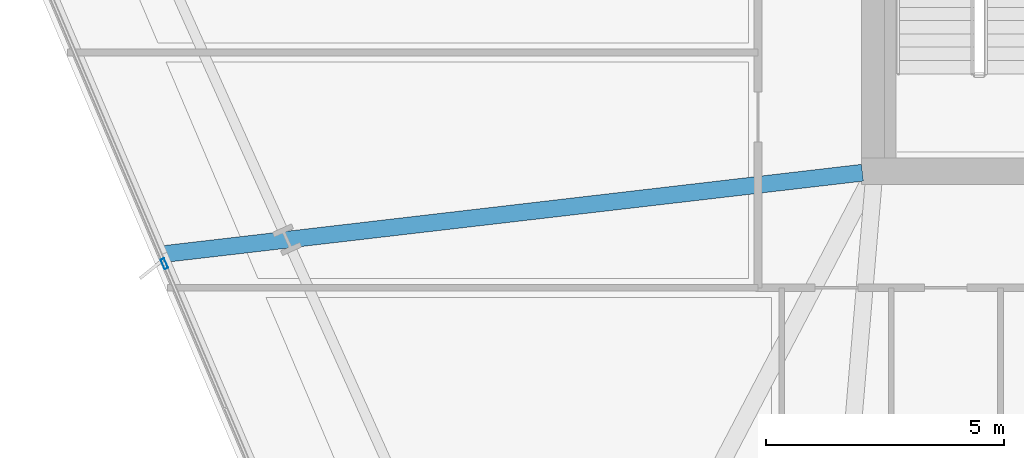
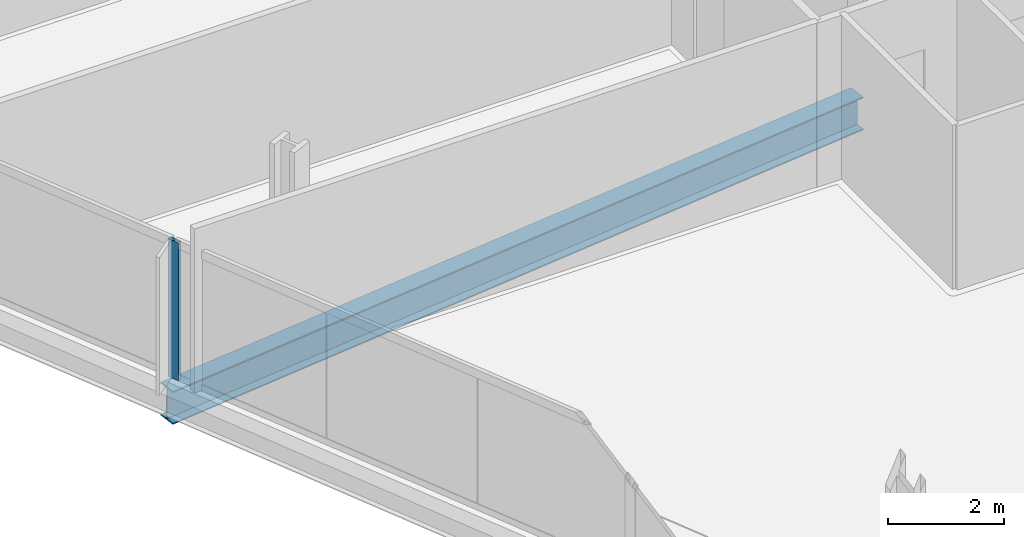
# One storey, part 5 of 34: 1 beam, 1 member, 1 element without a shape of its own.
"""IFC4 building model written with IfcOpenShell, lengths in metres."""

from ifc_helpers import new_model, si_unit, direction, frame, origin, origin_2d, place, context, subcontext, project, spatial, hollow_rectangle, i_section, extrude, material, material_profile, profile_set, type_object, element, aggregate, save


model = new_model("IFC4")

# Units and contexts
model_context = context("Model", 3, precision=1e-05, world=origin(), true_north=direction((0.0, 1.0)))
body_context = subcontext(model_context, "Body", "Model", "MODEL_VIEW")
ifc_project = project(units=[si_unit("LENGTHUNIT", "METRE"), si_unit("AREAUNIT", "SQUARE_METRE"), si_unit("VOLUMEUNIT", "CUBIC_METRE"), si_unit("PLANEANGLEUNIT", "RADIAN"), si_unit("MASSUNIT", "GRAM", prefix="KILO")], contexts=[model_context])

# Site, building, storey
site_placement = place(None, origin())
site = spatial("IfcSite", under=ifc_project, at=site_placement, CompositionType="ELEMENT")
building_placement = place(site_placement, origin())
building = spatial("IfcBuilding", under=site, at=building_placement, Name="Haldenkirk Collegiate Tower", CompositionType="ELEMENT")
storey_placement = place(building_placement, frame((0.0, 0.0, 105.449951171875)))
storey = spatial("IfcBuildingStorey", under=building, at=storey_placement, Name="L25", CompositionType="ELEMENT", Elevation=105.449951171875)

# Beam
ifc_material_1 = material(Name="Steel ASTM A992 Grade 50", Category="steel")
ifc_material_profile_1 = material_profile(ifc_material_1, i_section(OverallWidth=0.35498046875, OverallDepth=0.696044921875, WebThickness=0.015380859375, FlangeThickness=0.02490234375, at=origin_2d()), Name="W27X146")
ifc_profile_set_1 = profile_set([ifc_material_profile_1], Name="Steel ASTM A992 Grade 50")
beam_type = type_object("IfcBeamType", Name="BM-GIRDER-W27X146", PredefinedType="BEAM", material=ifc_profile_set_1)
beam_placement = place(storey_placement, frame((12.021240234375, 16.255615234375, -0.64794921875), z_axis=(0.993287285177, 0.115673545405, 0.0), x_axis=(-0.115673545405, 0.993287285177, 0.0)))
element("IfcBeam", 1, at=beam_placement, inside=storey, type_object=beam_type, Name="L25 primary floor girder 15", PredefinedType="BEAM", context=body_context, shape_type="SweptSolid", body=[
    extrude(i_section(OverallWidth=0.35498046875, OverallDepth=0.696044921875, WebThickness=0.015380859375, FlangeThickness=0.02490234375, at=origin_2d()), origin(), (0.0, 0.0, 1.0), 14.824951171875),
])

# Curtain wall, member
ifc_material_2 = material(Name="Anodised architectural bronze aluminium", Category="aluminium")
curtain_wall_type = type_object("IfcCurtainWallType", Name="CW-SYS1-CONVEX-LOW", PredefinedType="USERDEFINED", material=ifc_material_2)
curtain_wall_placement = place(storey_placement, origin())
curtain_wall = element("IfcCurtainWall", 2, at=curtain_wall_placement, inside=storey, type_object=curtain_wall_type, Name="L25 Lower tower convex bronze-framed unitised curtain wall", ObjectType="UNITISED CURTAIN WALL", PredefinedType="USERDEFINED")
ifc_material_profile_2 = material_profile(ifc_material_2, hollow_rectangle(XDim=0.080078125, YDim=0.219970703125, WallThickness=0.0048828125, at=origin_2d()), Name="CW-MUL-1A")
ifc_profile_set_2 = profile_set([ifc_material_profile_2], Name="Anodised architectural bronze aluminium")
member_type = type_object("IfcMemberType", Name="CW-MUL-1A", PredefinedType="MULLION", material=ifc_profile_set_2)
member_placement = place(storey_placement, frame((12.062255859375, 16.056396484375, 0.0), z_axis=(0.0, 0.0, 1.0), x_axis=(-0.920505471827, -0.390729671687, 0.0)))
member = element("IfcMember", 3, at=member_placement, type_object=member_type, Name="CW-1A mullion 3", PredefinedType="MULLION", context=body_context, shape_type="SweptSolid", body=[
    extrude(hollow_rectangle(XDim=0.080078125, YDim=0.219970703125, WallThickness=0.0048828125, at=origin_2d()), origin(), (0.0, 0.0, 1.0), 2.901123046875),
])
aggregate(curtain_wall, [member])

save(model, "model.ifc")
